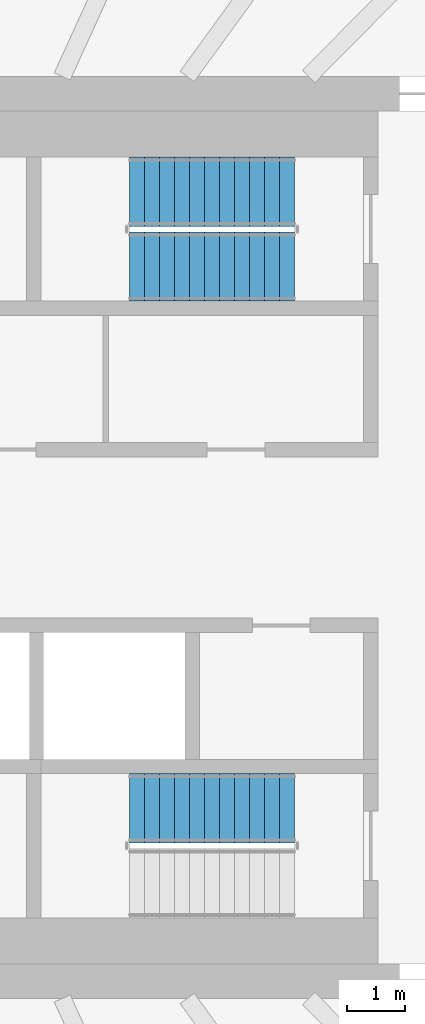
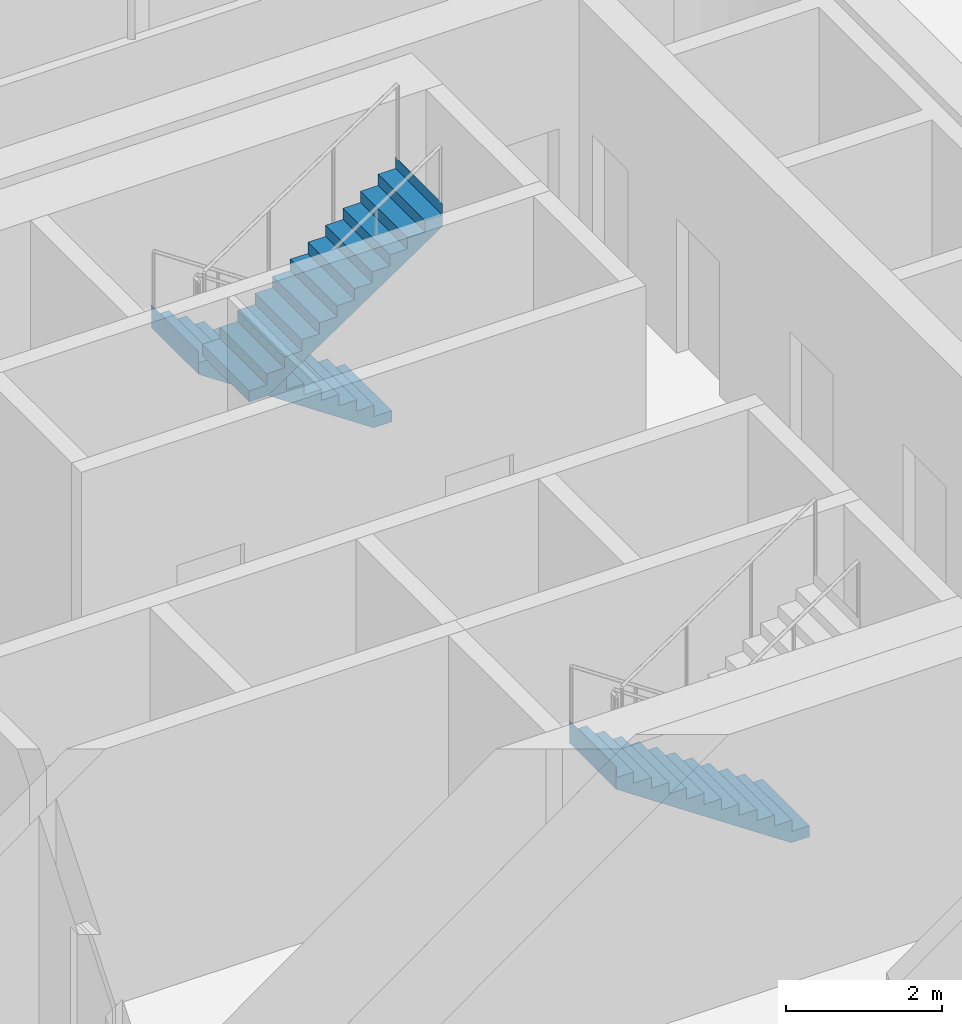
# One storey, part 20 of 26: 3 stair flights, 2 elements without a shape of their own.
"""IFC4 building model written with IfcOpenShell, lengths in metres."""

from ifc_helpers import new_model, si_unit, direction, frame, origin, place, context, subcontext, project, spatial, triangles, material, type_object, element, aggregate, save


model = new_model("IFC4")

# Units and contexts
model_context = context("Model", 3, precision=1e-05, world=origin(), true_north=direction((0.0, 1.0)))
body_context = subcontext(model_context, "Body", "Model", "MODEL_VIEW")
ifc_project = project(units=[si_unit("LENGTHUNIT", "METRE"), si_unit("AREAUNIT", "SQUARE_METRE"), si_unit("VOLUMEUNIT", "CUBIC_METRE"), si_unit("PLANEANGLEUNIT", "RADIAN"), si_unit("MASSUNIT", "GRAM", prefix="KILO")], contexts=[model_context])

# Site, building, storey
site_placement = place(None, origin())
site = spatial("IfcSite", under=ifc_project, at=site_placement, CompositionType="ELEMENT")
building_placement = place(site_placement, origin())
building = spatial("IfcBuilding", under=site, at=building_placement, Name="Sahrelin Media Tower", CompositionType="ELEMENT")
storey_placement = place(building_placement, frame((0.0, 0.0, 131.39990234375)))
storey = spatial("IfcBuildingStorey", under=building, at=storey_placement, Name="L26", CompositionType="ELEMENT", Elevation=131.39990234375)

# Stair, stair flights
ifc_material = material(Name="Concrete C40/50", Category="concrete")
stair_type = type_object("IfcStairType", Name="Exit stair 1200", PredefinedType="HALF_TURN_STAIR", material=ifc_material)
placement = place(storey_placement, origin())
stair_1 = element("IfcStair", 1, at=placement, inside=storey, type_object=stair_type, Name="L26 Exit stair ST3", PredefinedType="HALF_TURN_STAIR")
stair_flight_type = type_object("IfcStairFlightType", Name="Stair flight 1200", PredefinedType="STRAIGHT", material=ifc_material)
stair_flight_1_placement = place(storey_placement, frame((7.675048828125, 6.0, 0.0), z_axis=(0.0, 0.0, 1.0), x_axis=(-1.0, 0.0, 0.0)))
stair_flight_1 = element("IfcStairFlight", 2, at=stair_flight_1_placement, type_object=stair_flight_type, Name="ST3 flight 1", NumberOfRisers=12, NumberOfTreads=11, PredefinedType="STRAIGHT", RiserHeight=0.175, TreadLength=0.26, context=body_context, shape_type="Tessellation", body=[
    triangles([(0.2685546875, 0.60009765625, 0.0), (0.2685546875, 0.300048828125, 0.0), (0.2685546875, 0.0, 0.0), (0.2685546875, -0.300048828125, 0.0), (0.2685546875, -0.60009765625, 0.0), (2.860107421875, 0.60009765625, 1.744384765625), (2.860107421875, 0.300048828125, 1.744384765625), (2.860107421875, 0.0, 1.744384765625), (2.860107421875, -0.300048828125, 1.744384765625), (2.860107421875, -0.60009765625, 1.744384765625), (2.860107421875, 0.60009765625, 2.10009765625), (2.860107421875, 0.300048828125, 2.10009765625), (2.860107421875, 0.0, 2.10009765625), (2.860107421875, -0.300048828125, 2.10009765625), (2.860107421875, -0.60009765625, 2.10009765625), (2.85791015625, 0.60009765625, 2.10009765625), (2.85791015625, 0.300048828125, 2.10009765625), (2.85791015625, 0.0, 2.10009765625), (2.85791015625, -0.300048828125, 2.10009765625), (2.85791015625, -0.60009765625, 2.10009765625), (2.85791015625, 0.60009765625, 1.925048828125), (2.85791015625, 0.300048828125, 1.925048828125), (2.85791015625, 0.0, 1.925048828125), (2.85791015625, -0.300048828125, 1.925048828125), (2.85791015625, -0.60009765625, 1.925048828125), (2.60009765625, 0.60009765625, 1.925048828125), (2.60009765625, 0.300048828125, 1.925048828125), (2.60009765625, 0.0, 1.925048828125), (2.60009765625, -0.300048828125, 1.925048828125), (2.60009765625, -0.60009765625, 1.925048828125), (2.60009765625, 0.60009765625, 1.75), (2.60009765625, 0.300048828125, 1.75), (2.60009765625, 0.0, 1.75), (2.60009765625, -0.300048828125, 1.75), (2.60009765625, -0.60009765625, 1.75), (2.340087890625, 0.60009765625, 1.75), (2.340087890625, 0.300048828125, 1.75), (2.340087890625, 0.0, 1.75), (2.340087890625, -0.300048828125, 1.75), (2.340087890625, -0.60009765625, 1.75), (2.340087890625, 0.60009765625, 1.574951171875), (2.340087890625, 0.300048828125, 1.574951171875), (2.340087890625, 0.0, 1.574951171875), (2.340087890625, -0.300048828125, 1.574951171875), (2.340087890625, -0.60009765625, 1.574951171875), (2.080078125, 0.60009765625, 1.574951171875), (2.080078125, 0.300048828125, 1.574951171875), (2.080078125, 0.0, 1.574951171875), (2.080078125, -0.300048828125, 1.574951171875), (2.080078125, -0.60009765625, 1.574951171875), (2.080078125, 0.60009765625, 1.39990234375), (2.080078125, 0.300048828125, 1.39990234375), (2.080078125, 0.0, 1.39990234375), (2.080078125, -0.300048828125, 1.39990234375), (2.080078125, -0.60009765625, 1.39990234375), (1.820068359375, 0.60009765625, 1.39990234375), (1.820068359375, 0.300048828125, 1.39990234375), (1.820068359375, 0.0, 1.39990234375), (1.820068359375, -0.300048828125, 1.39990234375), (1.820068359375, -0.60009765625, 1.39990234375), (1.820068359375, 0.60009765625, 1.22509765625), (1.820068359375, 0.300048828125, 1.22509765625), (1.820068359375, 0.0, 1.22509765625), (1.820068359375, -0.300048828125, 1.22509765625), (1.820068359375, -0.60009765625, 1.22509765625), (1.56005859375, 0.60009765625, 1.22509765625), (1.56005859375, 0.300048828125, 1.22509765625), (1.56005859375, 0.0, 1.22509765625), (1.56005859375, -0.300048828125, 1.22509765625), (1.56005859375, -0.60009765625, 1.22509765625), (1.56005859375, 0.60009765625, 1.050048828125), (1.56005859375, 0.300048828125, 1.050048828125), (1.56005859375, 0.0, 1.050048828125), (1.56005859375, -0.300048828125, 1.050048828125), (1.56005859375, -0.60009765625, 1.050048828125), (1.300048828125, 0.60009765625, 1.050048828125), (1.300048828125, 0.300048828125, 1.050048828125), (1.300048828125, 0.0, 1.050048828125), (1.300048828125, -0.300048828125, 1.050048828125), (1.300048828125, -0.60009765625, 1.050048828125), (1.300048828125, 0.60009765625, 0.875), (1.300048828125, 0.300048828125, 0.875), (1.300048828125, 0.0, 0.875), (1.300048828125, -0.300048828125, 0.875), (1.300048828125, -0.60009765625, 0.875), (1.0400390625, 0.60009765625, 0.875), (1.0400390625, 0.300048828125, 0.875), (1.0400390625, 0.0, 0.875), (1.0400390625, -0.300048828125, 0.875), (1.0400390625, -0.60009765625, 0.875), (1.0400390625, 0.60009765625, 0.699951171875), (1.0400390625, 0.300048828125, 0.699951171875), (1.0400390625, 0.0, 0.699951171875), (1.0400390625, -0.300048828125, 0.699951171875), (1.0400390625, -0.60009765625, 0.699951171875), (0.780029296875, 0.60009765625, 0.699951171875), (0.780029296875, 0.300048828125, 0.699951171875), (0.780029296875, 0.0, 0.699951171875), (0.780029296875, -0.300048828125, 0.699951171875), (0.780029296875, -0.60009765625, 0.699951171875), (0.780029296875, 0.60009765625, 0.52490234375), (0.780029296875, 0.300048828125, 0.52490234375), (0.780029296875, 0.0, 0.52490234375), (0.780029296875, -0.300048828125, 0.52490234375), (0.780029296875, -0.60009765625, 0.52490234375), (0.52001953125, 0.60009765625, 0.52490234375), (0.52001953125, 0.300048828125, 0.52490234375), (0.52001953125, 0.0, 0.52490234375), (0.52001953125, -0.300048828125, 0.52490234375), (0.52001953125, -0.60009765625, 0.52490234375), (0.52001953125, 0.60009765625, 0.35009765625), (0.52001953125, 0.300048828125, 0.35009765625), (0.52001953125, 0.0, 0.35009765625), (0.52001953125, -0.300048828125, 0.35009765625), (0.52001953125, -0.60009765625, 0.35009765625), (0.260009765625, 0.60009765625, 0.35009765625), (0.260009765625, 0.300048828125, 0.35009765625), (0.260009765625, 0.0, 0.35009765625), (0.260009765625, -0.300048828125, 0.35009765625), (0.260009765625, -0.60009765625, 0.35009765625), (0.260009765625, 0.60009765625, 0.175048828125), (0.260009765625, 0.300048828125, 0.175048828125), (0.260009765625, 0.0, 0.175048828125), (0.260009765625, -0.300048828125, 0.175048828125), (0.260009765625, -0.60009765625, 0.175048828125), (0.0, 0.60009765625, 0.175048828125), (0.0, 0.300048828125, 0.175048828125), (0.0, 0.0, 0.175048828125), (0.0, -0.300048828125, 0.175048828125), (0.0, -0.60009765625, 0.175048828125), (0.0, 0.60009765625, 0.0), (0.0, 0.300048828125, 0.0), (0.0, 0.0, 0.0), (0.0, -0.300048828125, 0.0), (0.0, -0.60009765625, 0.0)], [[1, 6, 7], [1, 7, 2], [2, 7, 8], [2, 8, 3], [3, 8, 9], [3, 9, 4], [4, 9, 10], [4, 10, 5], [6, 11, 12], [6, 12, 7], [7, 12, 13], [7, 13, 8], [8, 13, 14], [8, 14, 9], [9, 14, 15], [9, 15, 10], [11, 16, 17], [11, 17, 12], [12, 17, 18], [12, 18, 13], [13, 18, 19], [13, 19, 14], [14, 19, 20], [14, 20, 15], [16, 21, 22], [16, 22, 17], [17, 22, 23], [17, 23, 18], [18, 23, 24], [18, 24, 19], [19, 24, 25], [19, 25, 20], [21, 26, 27], [21, 27, 22], [22, 27, 28], [22, 28, 23], [23, 28, 29], [23, 29, 24], [24, 29, 30], [24, 30, 25], [26, 31, 32], [26, 32, 27], [27, 32, 33], [27, 33, 28], [28, 33, 34], [28, 34, 29], [29, 34, 35], [29, 35, 30], [31, 36, 37], [31, 37, 32], [32, 37, 38], [32, 38, 33], [33, 38, 39], [33, 39, 34], [34, 39, 40], [34, 40, 35], [36, 41, 42], [36, 42, 37], [37, 42, 43], [37, 43, 38], [38, 43, 44], [38, 44, 39], [39, 44, 45], [39, 45, 40], [41, 46, 47], [41, 47, 42], [42, 47, 48], [42, 48, 43], [43, 48, 49], [43, 49, 44], [44, 49, 50], [44, 50, 45], [46, 51, 52], [46, 52, 47], [47, 52, 53], [47, 53, 48], [48, 53, 54], [48, 54, 49], [49, 54, 55], [49, 55, 50], [51, 56, 57], [51, 57, 52], [52, 57, 58], [52, 58, 53], [53, 58, 59], [53, 59, 54], [54, 59, 60], [54, 60, 55], [56, 61, 62], [56, 62, 57], [57, 62, 63], [57, 63, 58], [58, 63, 64], [58, 64, 59], [59, 64, 65], [59, 65, 60], [61, 66, 67], [61, 67, 62], [62, 67, 68], [62, 68, 63], [63, 68, 69], [63, 69, 64], [64, 69, 70], [64, 70, 65], [66, 71, 72], [66, 72, 67], [67, 72, 73], [67, 73, 68], [68, 73, 74], [68, 74, 69], [69, 74, 75], [69, 75, 70], [71, 76, 77], [71, 77, 72], [72, 77, 78], [72, 78, 73], [73, 78, 79], [73, 79, 74], [74, 79, 80], [74, 80, 75], [76, 81, 82], [76, 82, 77], [77, 82, 83], [77, 83, 78], [78, 83, 84], [78, 84, 79], [79, 84, 85], [79, 85, 80], [81, 86, 87], [81, 87, 82], [82, 87, 88], [82, 88, 83], [83, 88, 89], [83, 89, 84], [84, 89, 90], [84, 90, 85], [86, 91, 92], [86, 92, 87], [87, 92, 93], [87, 93, 88], [88, 93, 94], [88, 94, 89], [89, 94, 95], [89, 95, 90], [91, 96, 97], [91, 97, 92], [92, 97, 98], [92, 98, 93], [93, 98, 99], [93, 99, 94], [94, 99, 100], [94, 100, 95], [96, 101, 102], [96, 102, 97], [97, 102, 103], [97, 103, 98], [98, 103, 104], [98, 104, 99], [99, 104, 105], [99, 105, 100], [101, 106, 107], [101, 107, 102], [102, 107, 108], [102, 108, 103], [103, 108, 109], [103, 109, 104], [104, 109, 110], [104, 110, 105], [106, 111, 112], [106, 112, 107], [107, 112, 113], [107, 113, 108], [108, 113, 114], [108, 114, 109], [109, 114, 115], [109, 115, 110], [111, 116, 117], [111, 117, 112], [112, 117, 118], [112, 118, 113], [113, 118, 119], [113, 119, 114], [114, 119, 120], [114, 120, 115], [116, 121, 122], [116, 122, 117], [117, 122, 123], [117, 123, 118], [118, 123, 124], [118, 124, 119], [119, 124, 125], [119, 125, 120], [121, 126, 127], [121, 127, 122], [122, 127, 128], [122, 128, 123], [123, 128, 129], [123, 129, 124], [124, 129, 130], [124, 130, 125], [126, 131, 132], [126, 132, 127], [127, 132, 133], [127, 133, 128], [128, 133, 134], [128, 134, 129], [129, 134, 135], [129, 135, 130], [131, 1, 2], [131, 2, 132], [132, 2, 3], [132, 3, 133], [133, 3, 4], [133, 4, 134], [134, 4, 5], [134, 5, 135], [125, 130, 135], [121, 131, 126], [125, 115, 120], [121, 116, 111], [115, 105, 110], [111, 106, 101], [105, 95, 100], [101, 96, 91], [95, 85, 90], [91, 86, 81], [85, 75, 80], [81, 76, 71], [75, 65, 70], [71, 66, 61], [65, 55, 60], [61, 56, 51], [55, 45, 50], [51, 46, 41], [45, 35, 40], [41, 36, 31], [35, 25, 30], [31, 26, 21], [25, 15, 20], [21, 16, 11], [135, 5, 125], [131, 121, 1], [95, 105, 5], [91, 1, 101], [5, 10, 75], [1, 71, 6], [10, 35, 45], [6, 41, 31], [25, 10, 15], [21, 11, 6], [115, 125, 5], [111, 1, 121], [75, 85, 5], [71, 1, 81], [35, 10, 25], [31, 21, 6], [105, 115, 5], [101, 1, 111], [45, 55, 10], [41, 6, 51], [85, 95, 5], [81, 1, 91], [65, 10, 55], [61, 51, 6], [10, 65, 75], [6, 71, 61]], closed=True),
])
stair_flight_2_placement = place(storey_placement, frame((4.81494140625, 4.699951171875, 2.10009765625), z_axis=(0.0, 0.0, 1.0), x_axis=(1.0, 0.0, 0.0)))
stair_flight_2 = element("IfcStairFlight", 3, at=stair_flight_2_placement, type_object=stair_flight_type, Name="ST3 flight 2", NumberOfRisers=12, NumberOfTreads=11, PredefinedType="STRAIGHT", RiserHeight=0.175, TreadLength=0.26, context=body_context, shape_type="Tessellation", body=[
    triangles([(0.2685546875, 0.60009765625, 0.0), (0.2685546875, 0.300048828125, 0.0), (0.2685546875, 0.0, 0.0), (0.2685546875, -0.300048828125, 0.0), (0.2685546875, -0.60009765625, 0.0), (2.860107421875, 0.60009765625, 1.744384765625), (2.860107421875, 0.300048828125, 1.744384765625), (2.860107421875, 0.0, 1.744384765625), (2.860107421875, -0.300048828125, 1.744384765625), (2.860107421875, -0.60009765625, 1.744384765625), (2.860107421875, 0.60009765625, 2.10009765625), (2.860107421875, 0.300048828125, 2.10009765625), (2.860107421875, 0.0, 2.10009765625), (2.860107421875, -0.300048828125, 2.10009765625), (2.860107421875, -0.60009765625, 2.10009765625), (2.85791015625, 0.60009765625, 2.10009765625), (2.85791015625, 0.300048828125, 2.10009765625), (2.85791015625, 0.0, 2.10009765625), (2.85791015625, -0.300048828125, 2.10009765625), (2.85791015625, -0.60009765625, 2.10009765625), (2.85791015625, 0.60009765625, 1.925048828125), (2.85791015625, 0.300048828125, 1.925048828125), (2.85791015625, 0.0, 1.925048828125), (2.85791015625, -0.300048828125, 1.925048828125), (2.85791015625, -0.60009765625, 1.925048828125), (2.60009765625, 0.60009765625, 1.925048828125), (2.60009765625, 0.300048828125, 1.925048828125), (2.60009765625, 0.0, 1.925048828125), (2.60009765625, -0.300048828125, 1.925048828125), (2.60009765625, -0.60009765625, 1.925048828125), (2.60009765625, 0.60009765625, 1.75), (2.60009765625, 0.300048828125, 1.75), (2.60009765625, 0.0, 1.75), (2.60009765625, -0.300048828125, 1.75), (2.60009765625, -0.60009765625, 1.75), (2.340087890625, 0.60009765625, 1.75), (2.340087890625, 0.300048828125, 1.75), (2.340087890625, 0.0, 1.75), (2.340087890625, -0.300048828125, 1.75), (2.340087890625, -0.60009765625, 1.75), (2.340087890625, 0.60009765625, 1.574951171875), (2.340087890625, 0.300048828125, 1.574951171875), (2.340087890625, 0.0, 1.574951171875), (2.340087890625, -0.300048828125, 1.574951171875), (2.340087890625, -0.60009765625, 1.574951171875), (2.080078125, 0.60009765625, 1.574951171875), (2.080078125, 0.300048828125, 1.574951171875), (2.080078125, 0.0, 1.574951171875), (2.080078125, -0.300048828125, 1.574951171875), (2.080078125, -0.60009765625, 1.574951171875), (2.080078125, 0.60009765625, 1.39990234375), (2.080078125, 0.300048828125, 1.39990234375), (2.080078125, 0.0, 1.39990234375), (2.080078125, -0.300048828125, 1.39990234375), (2.080078125, -0.60009765625, 1.39990234375), (1.820068359375, 0.60009765625, 1.39990234375), (1.820068359375, 0.300048828125, 1.39990234375), (1.820068359375, 0.0, 1.39990234375), (1.820068359375, -0.300048828125, 1.39990234375), (1.820068359375, -0.60009765625, 1.39990234375), (1.820068359375, 0.60009765625, 1.22509765625), (1.820068359375, 0.300048828125, 1.22509765625), (1.820068359375, 0.0, 1.22509765625), (1.820068359375, -0.300048828125, 1.22509765625), (1.820068359375, -0.60009765625, 1.22509765625), (1.56005859375, 0.60009765625, 1.22509765625), (1.56005859375, 0.300048828125, 1.22509765625), (1.56005859375, 0.0, 1.22509765625), (1.56005859375, -0.300048828125, 1.22509765625), (1.56005859375, -0.60009765625, 1.22509765625), (1.56005859375, 0.60009765625, 1.050048828125), (1.56005859375, 0.300048828125, 1.050048828125), (1.56005859375, 0.0, 1.050048828125), (1.56005859375, -0.300048828125, 1.050048828125), (1.56005859375, -0.60009765625, 1.050048828125), (1.300048828125, 0.60009765625, 1.050048828125), (1.300048828125, 0.300048828125, 1.050048828125), (1.300048828125, 0.0, 1.050048828125), (1.300048828125, -0.300048828125, 1.050048828125), (1.300048828125, -0.60009765625, 1.050048828125), (1.300048828125, 0.60009765625, 0.875), (1.300048828125, 0.300048828125, 0.875), (1.300048828125, 0.0, 0.875), (1.300048828125, -0.300048828125, 0.875), (1.300048828125, -0.60009765625, 0.875), (1.0400390625, 0.60009765625, 0.875), (1.0400390625, 0.300048828125, 0.875), (1.0400390625, 0.0, 0.875), (1.0400390625, -0.300048828125, 0.875), (1.0400390625, -0.60009765625, 0.875), (1.0400390625, 0.60009765625, 0.699951171875), (1.0400390625, 0.300048828125, 0.699951171875), (1.0400390625, 0.0, 0.699951171875), (1.0400390625, -0.300048828125, 0.699951171875), (1.0400390625, -0.60009765625, 0.699951171875), (0.780029296875, 0.60009765625, 0.699951171875), (0.780029296875, 0.300048828125, 0.699951171875), (0.780029296875, 0.0, 0.699951171875), (0.780029296875, -0.300048828125, 0.699951171875), (0.780029296875, -0.60009765625, 0.699951171875), (0.780029296875, 0.60009765625, 0.52490234375), (0.780029296875, 0.300048828125, 0.52490234375), (0.780029296875, 0.0, 0.52490234375), (0.780029296875, -0.300048828125, 0.52490234375), (0.780029296875, -0.60009765625, 0.52490234375), (0.52001953125, 0.60009765625, 0.52490234375), (0.52001953125, 0.300048828125, 0.52490234375), (0.52001953125, 0.0, 0.52490234375), (0.52001953125, -0.300048828125, 0.52490234375), (0.52001953125, -0.60009765625, 0.52490234375), (0.52001953125, 0.60009765625, 0.35009765625), (0.52001953125, 0.300048828125, 0.35009765625), (0.52001953125, 0.0, 0.35009765625), (0.52001953125, -0.300048828125, 0.35009765625), (0.52001953125, -0.60009765625, 0.35009765625), (0.260009765625, 0.60009765625, 0.35009765625), (0.260009765625, 0.300048828125, 0.35009765625), (0.260009765625, 0.0, 0.35009765625), (0.260009765625, -0.300048828125, 0.35009765625), (0.260009765625, -0.60009765625, 0.35009765625), (0.260009765625, 0.60009765625, 0.175048828125), (0.260009765625, 0.300048828125, 0.175048828125), (0.260009765625, 0.0, 0.175048828125), (0.260009765625, -0.300048828125, 0.175048828125), (0.260009765625, -0.60009765625, 0.175048828125), (0.0, 0.60009765625, 0.175048828125), (0.0, 0.300048828125, 0.175048828125), (0.0, 0.0, 0.175048828125), (0.0, -0.300048828125, 0.175048828125), (0.0, -0.60009765625, 0.175048828125), (0.0, 0.60009765625, 0.0), (0.0, 0.300048828125, 0.0), (0.0, 0.0, 0.0), (0.0, -0.300048828125, 0.0), (0.0, -0.60009765625, 0.0)], [[1, 6, 7], [1, 7, 2], [2, 7, 8], [2, 8, 3], [3, 8, 9], [3, 9, 4], [4, 9, 10], [4, 10, 5], [6, 11, 12], [6, 12, 7], [7, 12, 13], [7, 13, 8], [8, 13, 14], [8, 14, 9], [9, 14, 15], [9, 15, 10], [11, 16, 17], [11, 17, 12], [12, 17, 18], [12, 18, 13], [13, 18, 19], [13, 19, 14], [14, 19, 20], [14, 20, 15], [16, 21, 22], [16, 22, 17], [17, 22, 23], [17, 23, 18], [18, 23, 24], [18, 24, 19], [19, 24, 25], [19, 25, 20], [21, 26, 27], [21, 27, 22], [22, 27, 28], [22, 28, 23], [23, 28, 29], [23, 29, 24], [24, 29, 30], [24, 30, 25], [26, 31, 32], [26, 32, 27], [27, 32, 33], [27, 33, 28], [28, 33, 34], [28, 34, 29], [29, 34, 35], [29, 35, 30], [31, 36, 37], [31, 37, 32], [32, 37, 38], [32, 38, 33], [33, 38, 39], [33, 39, 34], [34, 39, 40], [34, 40, 35], [36, 41, 42], [36, 42, 37], [37, 42, 43], [37, 43, 38], [38, 43, 44], [38, 44, 39], [39, 44, 45], [39, 45, 40], [41, 46, 47], [41, 47, 42], [42, 47, 48], [42, 48, 43], [43, 48, 49], [43, 49, 44], [44, 49, 50], [44, 50, 45], [46, 51, 52], [46, 52, 47], [47, 52, 53], [47, 53, 48], [48, 53, 54], [48, 54, 49], [49, 54, 55], [49, 55, 50], [51, 56, 57], [51, 57, 52], [52, 57, 58], [52, 58, 53], [53, 58, 59], [53, 59, 54], [54, 59, 60], [54, 60, 55], [56, 61, 62], [56, 62, 57], [57, 62, 63], [57, 63, 58], [58, 63, 64], [58, 64, 59], [59, 64, 65], [59, 65, 60], [61, 66, 67], [61, 67, 62], [62, 67, 68], [62, 68, 63], [63, 68, 69], [63, 69, 64], [64, 69, 70], [64, 70, 65], [66, 71, 72], [66, 72, 67], [67, 72, 73], [67, 73, 68], [68, 73, 74], [68, 74, 69], [69, 74, 75], [69, 75, 70], [71, 76, 77], [71, 77, 72], [72, 77, 78], [72, 78, 73], [73, 78, 79], [73, 79, 74], [74, 79, 80], [74, 80, 75], [76, 81, 82], [76, 82, 77], [77, 82, 83], [77, 83, 78], [78, 83, 84], [78, 84, 79], [79, 84, 85], [79, 85, 80], [81, 86, 87], [81, 87, 82], [82, 87, 88], [82, 88, 83], [83, 88, 89], [83, 89, 84], [84, 89, 90], [84, 90, 85], [86, 91, 92], [86, 92, 87], [87, 92, 93], [87, 93, 88], [88, 93, 94], [88, 94, 89], [89, 94, 95], [89, 95, 90], [91, 96, 97], [91, 97, 92], [92, 97, 98], [92, 98, 93], [93, 98, 99], [93, 99, 94], [94, 99, 100], [94, 100, 95], [96, 101, 102], [96, 102, 97], [97, 102, 103], [97, 103, 98], [98, 103, 104], [98, 104, 99], [99, 104, 105], [99, 105, 100], [101, 106, 107], [101, 107, 102], [102, 107, 108], [102, 108, 103], [103, 108, 109], [103, 109, 104], [104, 109, 110], [104, 110, 105], [106, 111, 112], [106, 112, 107], [107, 112, 113], [107, 113, 108], [108, 113, 114], [108, 114, 109], [109, 114, 115], [109, 115, 110], [111, 116, 117], [111, 117, 112], [112, 117, 118], [112, 118, 113], [113, 118, 119], [113, 119, 114], [114, 119, 120], [114, 120, 115], [116, 121, 122], [116, 122, 117], [117, 122, 123], [117, 123, 118], [118, 123, 124], [118, 124, 119], [119, 124, 125], [119, 125, 120], [121, 126, 127], [121, 127, 122], [122, 127, 128], [122, 128, 123], [123, 128, 129], [123, 129, 124], [124, 129, 130], [124, 130, 125], [126, 131, 132], [126, 132, 127], [127, 132, 133], [127, 133, 128], [128, 133, 134], [128, 134, 129], [129, 134, 135], [129, 135, 130], [131, 1, 2], [131, 2, 132], [132, 2, 3], [132, 3, 133], [133, 3, 4], [133, 4, 134], [134, 4, 5], [134, 5, 135], [125, 130, 135], [121, 131, 126], [125, 115, 120], [121, 116, 111], [115, 105, 110], [111, 106, 101], [105, 95, 100], [101, 96, 91], [95, 85, 90], [91, 86, 81], [85, 75, 80], [81, 76, 71], [75, 65, 70], [71, 66, 61], [65, 55, 60], [61, 56, 51], [55, 45, 50], [51, 46, 41], [45, 35, 40], [41, 36, 31], [35, 25, 30], [31, 26, 21], [25, 15, 20], [21, 16, 11], [135, 5, 125], [131, 121, 1], [95, 105, 5], [91, 1, 101], [5, 10, 75], [1, 71, 6], [10, 35, 45], [6, 41, 31], [25, 10, 15], [21, 11, 6], [115, 125, 5], [111, 1, 121], [75, 85, 5], [71, 1, 81], [35, 10, 25], [31, 21, 6], [105, 115, 5], [101, 1, 111], [45, 55, 10], [41, 6, 51], [85, 95, 5], [81, 1, 91], [65, 10, 55], [61, 51, 6], [10, 65, 75], [6, 71, 61]], closed=True),
])
aggregate(stair_1, [stair_flight_1, stair_flight_2])

# Stair, stair flight
stair_2 = element("IfcStair", 4, at=placement, inside=storey, type_object=stair_type, Name="L26 Exit stair ST2", PredefinedType="HALF_TURN_STAIR")
stair_flight_3_placement = place(storey_placement, frame((7.675048828125, -4.699951171875, 0.0), z_axis=(0.0, 0.0, 1.0), x_axis=(-1.0, 0.0, 0.0)))
stair_flight_3 = element("IfcStairFlight", 5, at=stair_flight_3_placement, type_object=stair_flight_type, Name="ST2 flight 1", NumberOfRisers=12, NumberOfTreads=11, PredefinedType="STRAIGHT", RiserHeight=0.175, TreadLength=0.26, context=body_context, shape_type="Tessellation", body=[
    triangles([(0.2685546875, 0.60009765625, 0.0), (0.2685546875, 0.300048828125, 0.0), (0.2685546875, 0.0, 0.0), (0.2685546875, -0.300048828125, 0.0), (0.2685546875, -0.60009765625, 0.0), (2.860107421875, 0.60009765625, 1.744384765625), (2.860107421875, 0.300048828125, 1.744384765625), (2.860107421875, 0.0, 1.744384765625), (2.860107421875, -0.300048828125, 1.744384765625), (2.860107421875, -0.60009765625, 1.744384765625), (2.860107421875, 0.60009765625, 2.10009765625), (2.860107421875, 0.300048828125, 2.10009765625), (2.860107421875, 0.0, 2.10009765625), (2.860107421875, -0.300048828125, 2.10009765625), (2.860107421875, -0.60009765625, 2.10009765625), (2.85791015625, 0.60009765625, 2.10009765625), (2.85791015625, 0.300048828125, 2.10009765625), (2.85791015625, 0.0, 2.10009765625), (2.85791015625, -0.300048828125, 2.10009765625), (2.85791015625, -0.60009765625, 2.10009765625), (2.85791015625, 0.60009765625, 1.925048828125), (2.85791015625, 0.300048828125, 1.925048828125), (2.85791015625, 0.0, 1.925048828125), (2.85791015625, -0.300048828125, 1.925048828125), (2.85791015625, -0.60009765625, 1.925048828125), (2.60009765625, 0.60009765625, 1.925048828125), (2.60009765625, 0.300048828125, 1.925048828125), (2.60009765625, 0.0, 1.925048828125), (2.60009765625, -0.300048828125, 1.925048828125), (2.60009765625, -0.60009765625, 1.925048828125), (2.60009765625, 0.60009765625, 1.75), (2.60009765625, 0.300048828125, 1.75), (2.60009765625, 0.0, 1.75), (2.60009765625, -0.300048828125, 1.75), (2.60009765625, -0.60009765625, 1.75), (2.340087890625, 0.60009765625, 1.75), (2.340087890625, 0.300048828125, 1.75), (2.340087890625, 0.0, 1.75), (2.340087890625, -0.300048828125, 1.75), (2.340087890625, -0.60009765625, 1.75), (2.340087890625, 0.60009765625, 1.574951171875), (2.340087890625, 0.300048828125, 1.574951171875), (2.340087890625, 0.0, 1.574951171875), (2.340087890625, -0.300048828125, 1.574951171875), (2.340087890625, -0.60009765625, 1.574951171875), (2.080078125, 0.60009765625, 1.574951171875), (2.080078125, 0.300048828125, 1.574951171875), (2.080078125, 0.0, 1.574951171875), (2.080078125, -0.300048828125, 1.574951171875), (2.080078125, -0.60009765625, 1.574951171875), (2.080078125, 0.60009765625, 1.39990234375), (2.080078125, 0.300048828125, 1.39990234375), (2.080078125, 0.0, 1.39990234375), (2.080078125, -0.300048828125, 1.39990234375), (2.080078125, -0.60009765625, 1.39990234375), (1.820068359375, 0.60009765625, 1.39990234375), (1.820068359375, 0.300048828125, 1.39990234375), (1.820068359375, 0.0, 1.39990234375), (1.820068359375, -0.300048828125, 1.39990234375), (1.820068359375, -0.60009765625, 1.39990234375), (1.820068359375, 0.60009765625, 1.22509765625), (1.820068359375, 0.300048828125, 1.22509765625), (1.820068359375, 0.0, 1.22509765625), (1.820068359375, -0.300048828125, 1.22509765625), (1.820068359375, -0.60009765625, 1.22509765625), (1.56005859375, 0.60009765625, 1.22509765625), (1.56005859375, 0.300048828125, 1.22509765625), (1.56005859375, 0.0, 1.22509765625), (1.56005859375, -0.300048828125, 1.22509765625), (1.56005859375, -0.60009765625, 1.22509765625), (1.56005859375, 0.60009765625, 1.050048828125), (1.56005859375, 0.300048828125, 1.050048828125), (1.56005859375, 0.0, 1.050048828125), (1.56005859375, -0.300048828125, 1.050048828125), (1.56005859375, -0.60009765625, 1.050048828125), (1.300048828125, 0.60009765625, 1.050048828125), (1.300048828125, 0.300048828125, 1.050048828125), (1.300048828125, 0.0, 1.050048828125), (1.300048828125, -0.300048828125, 1.050048828125), (1.300048828125, -0.60009765625, 1.050048828125), (1.300048828125, 0.60009765625, 0.875), (1.300048828125, 0.300048828125, 0.875), (1.300048828125, 0.0, 0.875), (1.300048828125, -0.300048828125, 0.875), (1.300048828125, -0.60009765625, 0.875), (1.0400390625, 0.60009765625, 0.875), (1.0400390625, 0.300048828125, 0.875), (1.0400390625, 0.0, 0.875), (1.0400390625, -0.300048828125, 0.875), (1.0400390625, -0.60009765625, 0.875), (1.0400390625, 0.60009765625, 0.699951171875), (1.0400390625, 0.300048828125, 0.699951171875), (1.0400390625, 0.0, 0.699951171875), (1.0400390625, -0.300048828125, 0.699951171875), (1.0400390625, -0.60009765625, 0.699951171875), (0.780029296875, 0.60009765625, 0.699951171875), (0.780029296875, 0.300048828125, 0.699951171875), (0.780029296875, 0.0, 0.699951171875), (0.780029296875, -0.300048828125, 0.699951171875), (0.780029296875, -0.60009765625, 0.699951171875), (0.780029296875, 0.60009765625, 0.52490234375), (0.780029296875, 0.300048828125, 0.52490234375), (0.780029296875, 0.0, 0.52490234375), (0.780029296875, -0.300048828125, 0.52490234375), (0.780029296875, -0.60009765625, 0.52490234375), (0.52001953125, 0.60009765625, 0.52490234375), (0.52001953125, 0.300048828125, 0.52490234375), (0.52001953125, 0.0, 0.52490234375), (0.52001953125, -0.300048828125, 0.52490234375), (0.52001953125, -0.60009765625, 0.52490234375), (0.52001953125, 0.60009765625, 0.35009765625), (0.52001953125, 0.300048828125, 0.35009765625), (0.52001953125, 0.0, 0.35009765625), (0.52001953125, -0.300048828125, 0.35009765625), (0.52001953125, -0.60009765625, 0.35009765625), (0.260009765625, 0.60009765625, 0.35009765625), (0.260009765625, 0.300048828125, 0.35009765625), (0.260009765625, 0.0, 0.35009765625), (0.260009765625, -0.300048828125, 0.35009765625), (0.260009765625, -0.60009765625, 0.35009765625), (0.260009765625, 0.60009765625, 0.175048828125), (0.260009765625, 0.300048828125, 0.175048828125), (0.260009765625, 0.0, 0.175048828125), (0.260009765625, -0.300048828125, 0.175048828125), (0.260009765625, -0.60009765625, 0.175048828125), (0.0, 0.60009765625, 0.175048828125), (0.0, 0.300048828125, 0.175048828125), (0.0, 0.0, 0.175048828125), (0.0, -0.300048828125, 0.175048828125), (0.0, -0.60009765625, 0.175048828125), (0.0, 0.60009765625, 0.0), (0.0, 0.300048828125, 0.0), (0.0, 0.0, 0.0), (0.0, -0.300048828125, 0.0), (0.0, -0.60009765625, 0.0)], [[1, 6, 7], [1, 7, 2], [2, 7, 8], [2, 8, 3], [3, 8, 9], [3, 9, 4], [4, 9, 10], [4, 10, 5], [6, 11, 12], [6, 12, 7], [7, 12, 13], [7, 13, 8], [8, 13, 14], [8, 14, 9], [9, 14, 15], [9, 15, 10], [11, 16, 17], [11, 17, 12], [12, 17, 18], [12, 18, 13], [13, 18, 19], [13, 19, 14], [14, 19, 20], [14, 20, 15], [16, 21, 22], [16, 22, 17], [17, 22, 23], [17, 23, 18], [18, 23, 24], [18, 24, 19], [19, 24, 25], [19, 25, 20], [21, 26, 27], [21, 27, 22], [22, 27, 28], [22, 28, 23], [23, 28, 29], [23, 29, 24], [24, 29, 30], [24, 30, 25], [26, 31, 32], [26, 32, 27], [27, 32, 33], [27, 33, 28], [28, 33, 34], [28, 34, 29], [29, 34, 35], [29, 35, 30], [31, 36, 37], [31, 37, 32], [32, 37, 38], [32, 38, 33], [33, 38, 39], [33, 39, 34], [34, 39, 40], [34, 40, 35], [36, 41, 42], [36, 42, 37], [37, 42, 43], [37, 43, 38], [38, 43, 44], [38, 44, 39], [39, 44, 45], [39, 45, 40], [41, 46, 47], [41, 47, 42], [42, 47, 48], [42, 48, 43], [43, 48, 49], [43, 49, 44], [44, 49, 50], [44, 50, 45], [46, 51, 52], [46, 52, 47], [47, 52, 53], [47, 53, 48], [48, 53, 54], [48, 54, 49], [49, 54, 55], [49, 55, 50], [51, 56, 57], [51, 57, 52], [52, 57, 58], [52, 58, 53], [53, 58, 59], [53, 59, 54], [54, 59, 60], [54, 60, 55], [56, 61, 62], [56, 62, 57], [57, 62, 63], [57, 63, 58], [58, 63, 64], [58, 64, 59], [59, 64, 65], [59, 65, 60], [61, 66, 67], [61, 67, 62], [62, 67, 68], [62, 68, 63], [63, 68, 69], [63, 69, 64], [64, 69, 70], [64, 70, 65], [66, 71, 72], [66, 72, 67], [67, 72, 73], [67, 73, 68], [68, 73, 74], [68, 74, 69], [69, 74, 75], [69, 75, 70], [71, 76, 77], [71, 77, 72], [72, 77, 78], [72, 78, 73], [73, 78, 79], [73, 79, 74], [74, 79, 80], [74, 80, 75], [76, 81, 82], [76, 82, 77], [77, 82, 83], [77, 83, 78], [78, 83, 84], [78, 84, 79], [79, 84, 85], [79, 85, 80], [81, 86, 87], [81, 87, 82], [82, 87, 88], [82, 88, 83], [83, 88, 89], [83, 89, 84], [84, 89, 90], [84, 90, 85], [86, 91, 92], [86, 92, 87], [87, 92, 93], [87, 93, 88], [88, 93, 94], [88, 94, 89], [89, 94, 95], [89, 95, 90], [91, 96, 97], [91, 97, 92], [92, 97, 98], [92, 98, 93], [93, 98, 99], [93, 99, 94], [94, 99, 100], [94, 100, 95], [96, 101, 102], [96, 102, 97], [97, 102, 103], [97, 103, 98], [98, 103, 104], [98, 104, 99], [99, 104, 105], [99, 105, 100], [101, 106, 107], [101, 107, 102], [102, 107, 108], [102, 108, 103], [103, 108, 109], [103, 109, 104], [104, 109, 110], [104, 110, 105], [106, 111, 112], [106, 112, 107], [107, 112, 113], [107, 113, 108], [108, 113, 114], [108, 114, 109], [109, 114, 115], [109, 115, 110], [111, 116, 117], [111, 117, 112], [112, 117, 118], [112, 118, 113], [113, 118, 119], [113, 119, 114], [114, 119, 120], [114, 120, 115], [116, 121, 122], [116, 122, 117], [117, 122, 123], [117, 123, 118], [118, 123, 124], [118, 124, 119], [119, 124, 125], [119, 125, 120], [121, 126, 127], [121, 127, 122], [122, 127, 128], [122, 128, 123], [123, 128, 129], [123, 129, 124], [124, 129, 130], [124, 130, 125], [126, 131, 132], [126, 132, 127], [127, 132, 133], [127, 133, 128], [128, 133, 134], [128, 134, 129], [129, 134, 135], [129, 135, 130], [131, 1, 2], [131, 2, 132], [132, 2, 3], [132, 3, 133], [133, 3, 4], [133, 4, 134], [134, 4, 5], [134, 5, 135], [125, 130, 135], [121, 131, 126], [125, 115, 120], [121, 116, 111], [115, 105, 110], [111, 106, 101], [105, 95, 100], [101, 96, 91], [95, 85, 90], [91, 86, 81], [85, 75, 80], [81, 76, 71], [75, 65, 70], [71, 66, 61], [65, 55, 60], [61, 56, 51], [55, 45, 50], [51, 46, 41], [45, 35, 40], [41, 36, 31], [35, 25, 30], [31, 26, 21], [25, 15, 20], [21, 16, 11], [135, 5, 125], [131, 121, 1], [95, 105, 5], [91, 1, 101], [5, 10, 75], [1, 71, 6], [10, 35, 45], [6, 41, 31], [25, 10, 15], [21, 11, 6], [115, 125, 5], [111, 1, 121], [75, 85, 5], [71, 1, 81], [35, 10, 25], [31, 21, 6], [105, 115, 5], [101, 1, 111], [45, 55, 10], [41, 6, 51], [85, 95, 5], [81, 1, 91], [65, 10, 55], [61, 51, 6], [10, 65, 75], [6, 71, 61]], closed=True),
])
aggregate(stair_2, [stair_flight_3])

save(model, "model.ifc")
